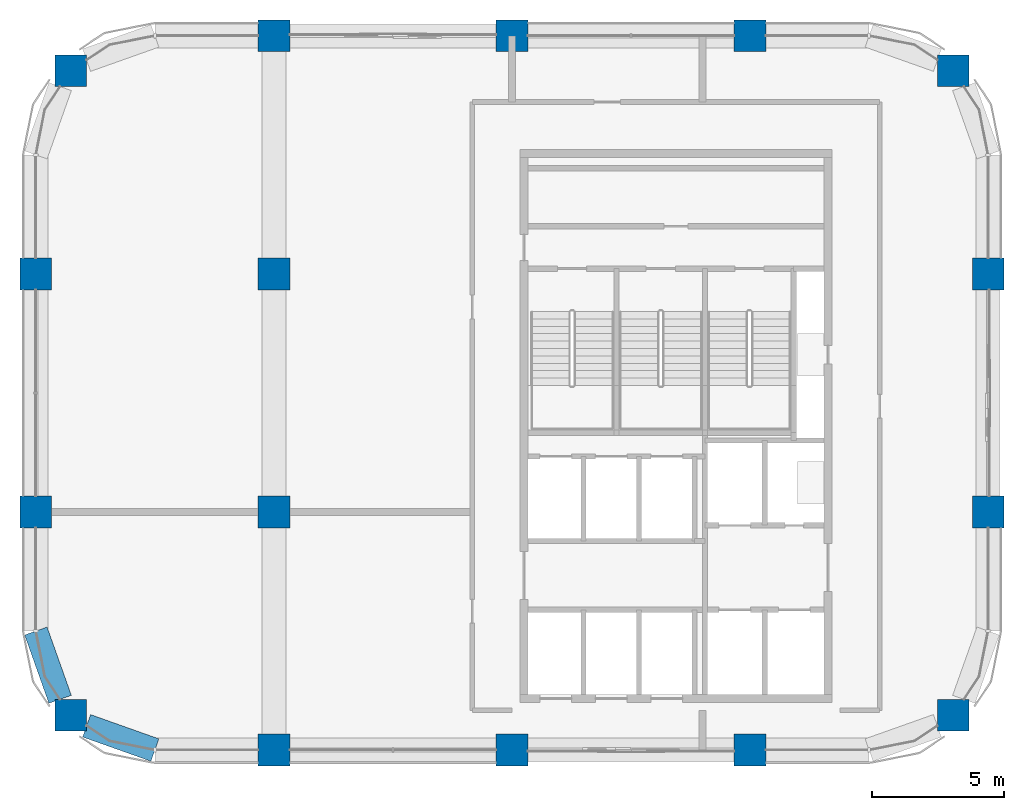
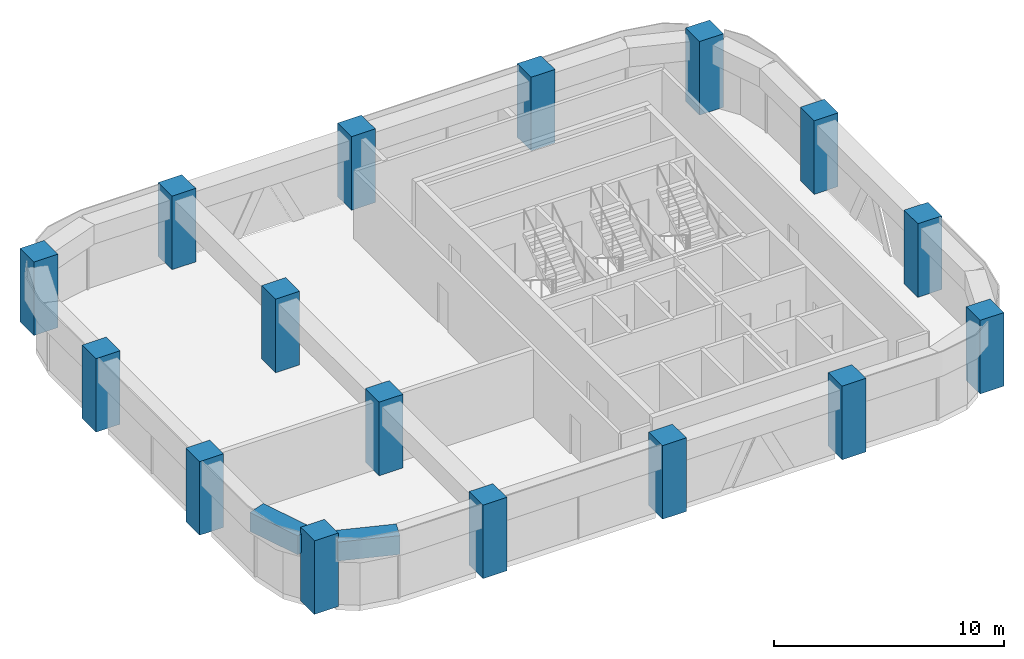
# One storey, part 1 of 9: 16 columns, 2 beams.
"""IFC4 building model written with IfcOpenShell, lengths in metres."""

import ifcopenshell
import ifcopenshell.guid

model = None  # the IFC model being written
_history = None  # IfcOwnerHistory: only IFC2X3 demands one
_inside = {}  # id of a spatial element -> (the spatial element, [elements in it])
_under = {}  # id of a project, library or spatial element -> (it, [spatial elements below it])
_declared = {}  # id of a project -> (the project, [libraries it declares])
_typed = {}  # id of a type object -> (the type object, [elements of that type])
_made_of = {}  # id of a material, layer set ... -> (it, [elements and type objects made of it])


def new_model(schema):
    """Start an empty IFC model of exactly this schema.

    Asked for "IFC4X3", IfcOpenShell would pick the latest addendum, in which some entities
    have other attributes; the version numbers below select the first issue.
    IFC2X3 requires an IfcOwnerHistory on every rooted entity: one is made here for all.
    """
    global model, _history
    if schema == "IFC4X3":
        model = ifcopenshell.file(schema_version=(4, 3, 0, 0))
    else:
        model = ifcopenshell.file(schema=schema)
    _inside.clear()
    _under.clear()
    _declared.clear()
    _typed.clear()
    _made_of.clear()
    _history = None
    if model.schema == "IFC2X3":
        org = make("IfcOrganization", Name="unknown")
        user = make(
            "IfcPersonAndOrganization",
            ThePerson=make("IfcPerson", FamilyName="unknown"),
            TheOrganization=org,
        )
        app = make(
            "IfcApplication",
            ApplicationDeveloper=org,
            Version="unknown",
            ApplicationFullName="unknown",
            ApplicationIdentifier="unknown",
        )
        _history = make(
            "IfcOwnerHistory",
            OwningUser=user,
            OwningApplication=app,
            ChangeAction="ADDED",
            CreationDate=0,
        )
    return model


def make(cls, **values):
    """One entity of the class cls with the attributes given. An attribute that is None is left unset."""
    return model.create_entity(
        cls, **{name: value for name, value in values.items() if value is not None}
    )


def rooted(cls, **values):
    """An entity with a GlobalId (a new one), such as an element, a storey or a relation."""
    return make(cls, GlobalId=ifcopenshell.guid.new(), OwnerHistory=_history, **values)


def si_unit(unit_type, name, prefix=None):
    """IfcSIUnit, for example si_unit("LENGTHUNIT", "METRE", prefix="MILLI")."""
    return make("IfcSIUnit", UnitType=unit_type, Prefix=prefix, Name=name)


def assignment(units):
    """IfcUnitAssignment: the units of a project."""
    return None if units is None else make("IfcUnitAssignment", Units=units)


def point(xyz):
    """IfcCartesianPoint."""
    return None if xyz is None else make("IfcCartesianPoint", Coordinates=xyz)


def direction(xyz):
    """IfcDirection."""
    return None if xyz is None else make("IfcDirection", DirectionRatios=xyz)


def frame(location, z_axis=None, x_axis=None):
    """IfcAxis2Placement3D, a coordinate frame: its origin and axes. An axis left out is left unset."""
    return make(
        "IfcAxis2Placement3D",
        Location=point(location),
        Axis=direction(z_axis),
        RefDirection=direction(x_axis),
    )


def frame_2d(location, x_axis=None):
    """IfcAxis2Placement2D, a coordinate frame in the plane: its origin and x axis."""
    return make(
        "IfcAxis2Placement2D", Location=point(location), RefDirection=direction(x_axis)
    )


def origin():
    """The frame at (0, 0, 0) with its axes left unset."""
    return frame((0.0, 0.0, 0.0))


def origin_2d():
    """The frame at (0, 0) in the plane with its x axis left unset."""
    return frame_2d((0.0, 0.0))


def place(relative_to, where):
    """IfcLocalPlacement: puts the frame where relative to a parent placement (None: the world)."""
    return make(
        "IfcLocalPlacement", PlacementRelTo=relative_to, RelativePlacement=where
    )


def context(
    kind, dimensions, precision=None, world=None, true_north=None, identifier=None
):
    """IfcGeometricRepresentationContext, for example the 3D "Model" context."""
    return make(
        "IfcGeometricRepresentationContext",
        ContextIdentifier=identifier,
        ContextType=kind,
        CoordinateSpaceDimension=dimensions,
        Precision=precision,
        WorldCoordinateSystem=world,
        TrueNorth=true_north,
    )


def subcontext(parent, identifier, kind, view, scale=None):
    """IfcGeometricRepresentationSubContext, for example "Body" below "Model"."""
    return make(
        "IfcGeometricRepresentationSubContext",
        ContextIdentifier=identifier,
        ContextType=kind,
        ParentContext=parent,
        TargetScale=scale,
        TargetView=view,
    )


def project(units=None, contexts=None):
    """IfcProject with its units and contexts."""
    return rooted(
        "IfcProject",
        Name="project",
        RepresentationContexts=contexts,
        UnitsInContext=assignment(units),
    )


def spatial(cls, under=None, at=None, **own):
    """A site, building, storey or space (cls), placed at a placement, below another one or the project."""
    s = rooted(cls, ObjectPlacement=at, **own)
    if under is not None:
        _under.setdefault(under.id(), (under, []))[1].append(s)
    return s


def profile(cls, at=None, kind="AREA", **sizes):
    """A parametric profile (cls). Its sizes go by their IFC names, for example OverallWidth=200.0."""
    return make(cls, ProfileType=kind, Position=at, **sizes)


def rectangle(**sizes):
    """IfcRectangleProfileDef."""
    return profile("IfcRectangleProfileDef", **sizes)


def extrude(swept, where, along, depth):
    """IfcExtrudedAreaSolid: the profile swept, set in the frame where, extruded along a direction by depth."""
    return make(
        "IfcExtrudedAreaSolid",
        SweptArea=swept,
        Position=where,
        ExtrudedDirection=direction(along),
        Depth=depth,
    )


def shape(context_of_items, identifier, shape_type, items):
    """IfcShapeRepresentation: the items that make up one representation, for example the "Body"."""
    return make(
        "IfcShapeRepresentation",
        ContextOfItems=context_of_items,
        RepresentationIdentifier=identifier,
        RepresentationType=shape_type,
        Items=items,
    )


def material(Name=None, Category=None):
    """IfcMaterial."""
    return make("IfcMaterial", Name=Name, Category=Category)


def material_profile(
    of_material, cross_section, Name=None, Category=None, Priority=None
):
    """IfcMaterialProfile: a cross section and its material."""
    return make(
        "IfcMaterialProfile",
        Name=Name,
        Material=of_material,
        Profile=cross_section,
        Priority=Priority,
        Category=Category,
    )


def profile_set(profiles, Name=None, composite=None):
    """IfcMaterialProfileSet."""
    return make(
        "IfcMaterialProfileSet",
        Name=Name,
        MaterialProfiles=profiles,
        CompositeProfile=composite,
    )


def made_of(thing, what):
    """Note that an element or type object is made of a material, layer set ...; save() writes the relation."""
    if what is not None:
        _made_of.setdefault(what.id(), (what, []))[1].append(thing)
    return thing


def type_object(cls, material=None, **own):
    """A type object (cls), such as IfcWallType, which elements share."""
    return made_of(rooted(cls, **own), material)


def element(
    cls,
    number,
    at=None,
    inside=None,
    cuts=None,
    type_object=None,
    material=None,
    context=None,
    identifier="Body",
    shape_type=None,
    held_by="IfcProductDefinitionShape",
    body=None,
    shapes=None,
    **own,
):
    """One element of the class cls, such as IfcWall. Its Tag is "e" and its number.

    at: its placement. inside: the storey or other place that contains it. cuts: it is an
    opening in that element (IfcRelVoidsElement). A single representation is given by context,
    identifier, shape_type and body (its items); several are given by shapes. held_by: the class
    of the entity that holds the representations. save() writes the other relations.
    """
    e = rooted(cls, Tag="e%d" % number, ObjectPlacement=at, **own)
    if body is not None:
        shapes = [shape(context, identifier, shape_type, body)]
    if shapes is not None:
        e.Representation = make(held_by, Representations=shapes)
    if inside is not None:
        _inside.setdefault(inside.id(), (inside, []))[1].append(e)
    if cuts is not None:
        rooted(
            "IfcRelVoidsElement", RelatingBuildingElement=cuts, RelatedOpeningElement=e
        )
    if type_object is not None:
        _typed.setdefault(type_object.id(), (type_object, []))[1].append(e)
    return made_of(e, material)


def aggregate(whole, parts):
    """IfcRelAggregates: a whole, such as a stair, and the parts it consists of."""
    return rooted("IfcRelAggregates", RelatingObject=whole, RelatedObjects=parts)


def save(model, path):
    """Write the relations noted so far, then the file.

    IfcRelAggregates (storeys below a building ...), IfcRelContainedInSpatialStructure (elements
    in a storey), IfcRelDefinesByType, IfcRelAssociatesMaterial and IfcRelDeclares: one each for
    every whole, place, type object, material and project.
    """
    for whole, parts in _under.values():
        aggregate(whole, parts)
    for where, things in _inside.values():
        rooted(
            "IfcRelContainedInSpatialStructure",
            RelatedElements=things,
            RelatingStructure=where,
        )
    for kind, things in _typed.values():
        rooted("IfcRelDefinesByType", RelatedObjects=things, RelatingType=kind)
    for what, things in _made_of.values():
        rooted("IfcRelAssociatesMaterial", RelatedObjects=things, RelatingMaterial=what)
    for by, libraries in _declared.values():
        rooted("IfcRelDeclares", RelatingContext=by, RelatedDefinitions=libraries)
    model.write(path)


model = new_model("IFC4")

# Units and contexts
model_context = context("Model", 3, precision=1e-05, world=origin(), true_north=direction((0.0, 1.0)))
body_context = subcontext(model_context, "Body", "Model", "MODEL_VIEW")
ifc_project = project(units=[si_unit("LENGTHUNIT", "METRE"), si_unit("AREAUNIT", "SQUARE_METRE"), si_unit("VOLUMEUNIT", "CUBIC_METRE"), si_unit("PLANEANGLEUNIT", "RADIAN"), si_unit("MASSUNIT", "GRAM", prefix="KILO")], contexts=[model_context])

# Site, building, storey
site_placement = place(None, origin())
site = spatial("IfcSite", under=ifc_project, at=site_placement, CompositionType="ELEMENT")
building_placement = place(site_placement, origin())
building = spatial("IfcBuilding", under=site, at=building_placement, Name="Tessera Arch", CompositionType="ELEMENT")
storey_placement = place(building_placement, frame((0.0, 0.0, 305.10009765625)))
storey = spatial("IfcBuildingStorey", under=building, at=storey_placement, Name="L73", CompositionType="ELEMENT", Elevation=305.10009765625)

# Columns
ifc_material_1 = material(Name="Concrete C60/75", Category="concrete")
ifc_material_profile_1 = material_profile(ifc_material_1, rectangle(XDim=1.199951171875, YDim=1.199951171875, at=origin_2d()), Name="RC column 1200 x 1200 Concrete C60/75")
ifc_profile_set_1 = profile_set([ifc_material_profile_1], Name="Concrete C60/75")
column_type = type_object("IfcColumnType", Name="RC column 1200 x 1200 Concrete C60/75", PredefinedType="COLUMN", material=ifc_profile_set_1)
for number, where, z_axis, x_axis, name in (
    (1, (19.318115234375, 28.318115234375, 0.0), (0.0, 0.0, 1.0), (1.0, 0.0, 0.0), "Column C3D L73"),
    (2, (18.0, 36.0, 0.0), (0.0, 0.0, 1.0), (1.0, 0.0, 0.0), "Column C3E L73"),
    (3, (18.0, 45.0, 0.0), (0.0, 0.0, 1.0), (1.0, 0.0, 0.0), "Column C3F L73"),
    (4, (19.318115234375, 52.681884765625, 0.0), (0.0, 0.0, 1.0), (1.0, 0.0, 0.0), "Column C3G L73"),
    (5, (27.0, 27.0, 0.0), (0.0, 0.0, 1.0), (1.0, 0.0, 0.0), "Column C4D L73"),
    (6, (27.0, 36.0, 0.0), (0.0, 0.0, 1.0), (1.0, 0.0, 0.0), "Column C4E L73"),
    (7, (27.0, 45.0, 0.0), (0.0, 0.0, 1.0), (1.0, 0.0, 0.0), "Column C4F L73"),
    (8, (27.0, 54.0, 0.0), (0.0, 0.0, 1.0), (1.0, 0.0, 0.0), "Column C4G L73"),
    (9, (36.0, 27.0, 0.0), (0.0, 0.0, 1.0), (1.0, 0.0, 0.0), "Column C5D L73"),
    (10, (36.0, 54.0, 0.0), (0.0, 0.0, 1.0), (1.0, 0.0, 0.0), "Column C5G L73"),
    (11, (45.0, 27.0, 0.0), (0.0, 0.0, 1.0), (1.0, 0.0, 0.0), "Column C6D L73"),
    (12, (45.0, 54.0, 0.0), (0.0, 0.0, 1.0), (1.0, 0.0, 0.0), "Column C6G L73"),
    (13, (52.681884765625, 28.318115234375, 0.0), (0.0, 0.0, 1.0), (1.0, 0.0, 0.0), "Column C7D L73"),
    (14, (54.0, 36.0, 0.0), (0.0, 0.0, 1.0), (1.0, 0.0, 0.0), "Column C7E L73"),
    (15, (54.0, 45.0, 0.0), (0.0, 0.0, 1.0), (1.0, 0.0, 0.0), "Column C7F L73"),
    (16, (52.681884765625, 52.681884765625, 0.0), (0.0, 0.0, 1.0), (1.0, 0.0, 0.0), "Column C7G L73"),
):
    element("IfcColumn", number, at=place(storey_placement, frame(where, z_axis=z_axis, x_axis=x_axis)), inside=storey, type_object=column_type, Name=name, PredefinedType="COLUMN", context=body_context, shape_type="SweptSolid", body=[
        extrude(rectangle(XDim=1.199951171875, YDim=1.199951171875, at=origin_2d()), origin(), (0.0, 0.0, 1.0), 3.89990234375),
    ])

# Beams
ifc_material_2 = material(Name="Concrete C60/75", Category="concrete")
ifc_material_profile_2 = material_profile(ifc_material_2, rectangle(XDim=0.89990234375, YDim=1.0, at=origin_2d()), Name="RC spandrel beam 900 x 1000 Concrete C60/75")
ifc_profile_set_2 = profile_set([ifc_material_profile_2], Name="Concrete C60/75")
beam_type = type_object("IfcBeamType", Name="RC spandrel beam 900 x 1000 Concrete C60/75", PredefinedType="BEAM", material=ifc_profile_set_2)
for number, where, z_axis, x_axis, name in (
    (17, (18.0, 31.5, 3.099853515625), (0.334665114373, -0.942337127159, 0.0), (0.942337127159, 0.334665114373, 0.0), "Spandrel beam L73 W18.27/2.2"),
    (18, (19.91796875, 27.9169921875, 3.099853515625), (0.942337127159, -0.334665114373, 0.0), (0.334665114373, 0.942337127159, 0.0), "Spandrel beam L73 S27.18/0.1"),
):
    element("IfcBeam", number, at=place(storey_placement, frame(where, z_axis=z_axis, x_axis=x_axis)), inside=storey, type_object=beam_type, Name=name, PredefinedType="BEAM", context=body_context, shape_type="SweptSolid", body=[
        extrude(rectangle(XDim=0.89990234375, YDim=1.0, at=origin_2d()), origin(), (0.0, 0.0, 1.0), 2.739990234375),
    ])

save(model, "model.ifc")
